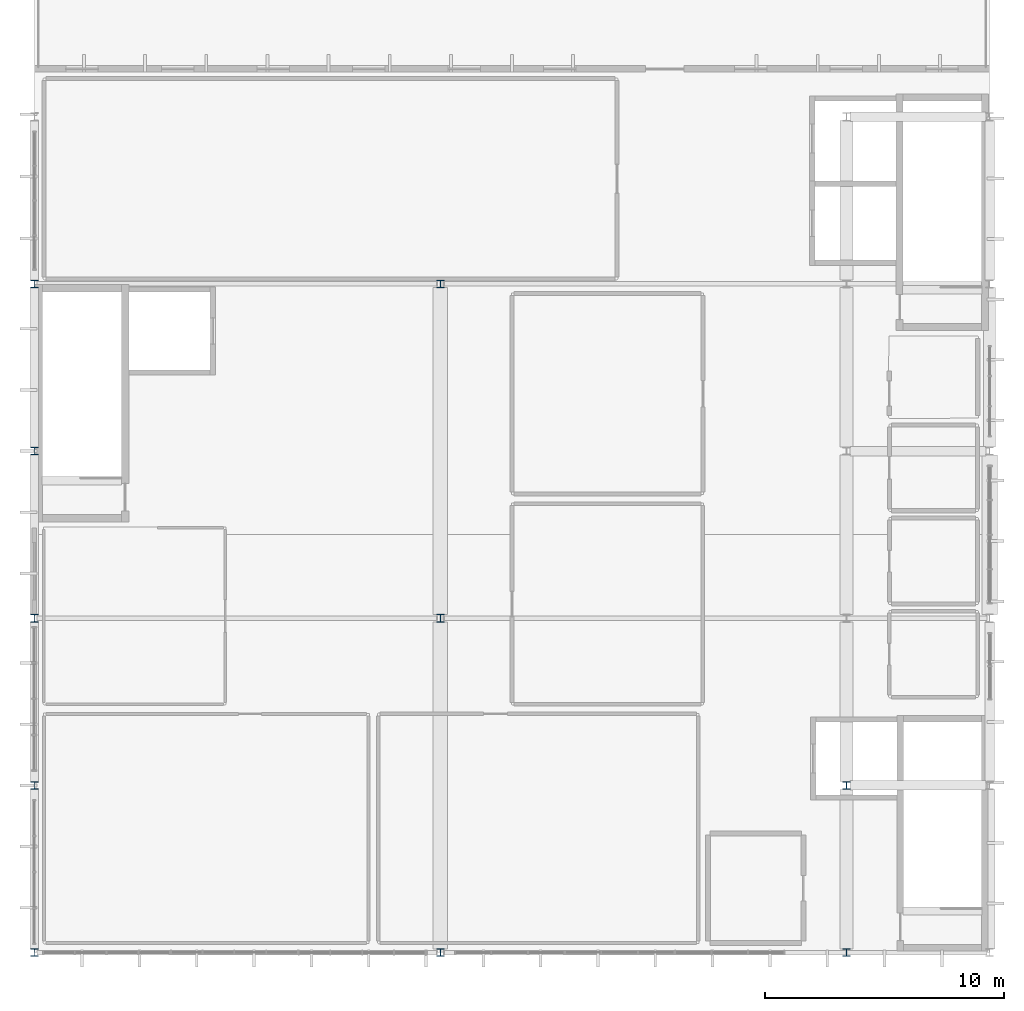
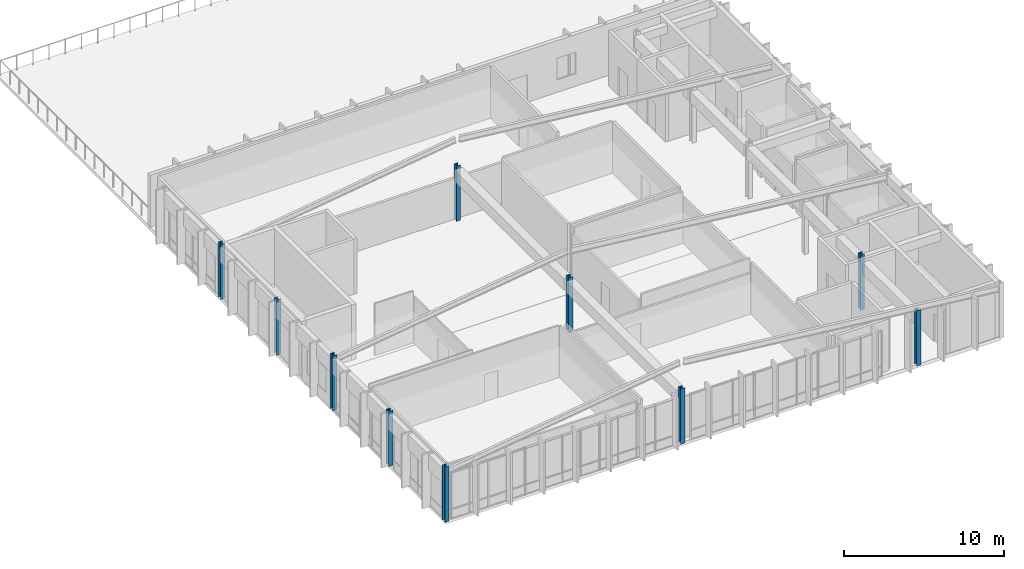
# One storey, part 1 of 16: 10 columns.
"""IFC4 building model written with IfcOpenShell, lengths in metres."""

from ifc_helpers import new_model, si_unit, direction, frame, origin, origin_2d, place, context, subcontext, project, spatial, i_section, extrude, material, material_profile, profile_set, type_object, element, save


model = new_model("IFC4")

# Units and contexts
model_context = context("Model", 3, precision=1e-05, world=origin(), true_north=direction((0.0, 1.0)))
body_context = subcontext(model_context, "Body", "Model", "MODEL_VIEW")
ifc_project = project(units=[si_unit("LENGTHUNIT", "METRE"), si_unit("AREAUNIT", "SQUARE_METRE"), si_unit("VOLUMEUNIT", "CUBIC_METRE"), si_unit("PLANEANGLEUNIT", "RADIAN"), si_unit("MASSUNIT", "GRAM", prefix="KILO")], contexts=[model_context])

# Site, building, storey
site_placement = place(None, origin())
site = spatial("IfcSite", under=ifc_project, at=site_placement, CompositionType="ELEMENT")
building_placement = place(site_placement, origin())
building = spatial("IfcBuilding", under=site, at=building_placement, Name="Larkveld Mobility Hub", CompositionType="ELEMENT")
storey_placement = place(building_placement, frame((0.0, 0.0, 22.800048828125)))
storey = spatial("IfcBuildingStorey", under=building, at=storey_placement, Name="L06", CompositionType="ELEMENT", Elevation=22.800048828125)

# Columns
ifc_material = material(Name="Steel S355JR", Category="steel")
ifc_material_profile = material_profile(ifc_material, i_section(OverallWidth=0.30908203125, OverallDepth=0.320556640625, WebThickness=0.013916015625, FlangeThickness=0.021728515625, FilletRadius=0.01513671875, at=origin_2d()), Name="UC 305x305x137")
ifc_profile_set = profile_set([ifc_material_profile], Name="Steel S355JR")
column_type = type_object("IfcColumnType", Name="CL-STUC305", PredefinedType="COLUMN", material=ifc_profile_set)
for number, where, z_axis, x_axis, name in (
    (1, (112.0, 28.0, 0.0), (0.0, 0.0, 1.0), (1.0, 0.0, 0.0), "Column EV-X112-Y28 (L06)"),
    (2, (112.0, 35.0, 0.0), (0.0, 0.0, 1.0), (1.0, 0.0, 0.0), "Column EV-X112-Y35 (L06)"),
    (3, (112.0, 42.0, 0.0), (0.0, 0.0, 1.0), (1.0, 0.0, 0.0), "Column EV-X112-Y42 (L06)"),
    (4, (112.0, 49.0, 0.0), (0.0, 0.0, 1.0), (1.0, 0.0, 0.0), "Column EV-X112-Y49 (L06)"),
    (5, (112.0, 56.0, 0.0), (0.0, 0.0, 1.0), (1.0, 0.0, 0.0), "Column EV-X112-Y56 (L06)"),
    (6, (129.0, 28.0, 0.0), (0.0, 0.0, 1.0), (1.0, 0.0, 0.0), "Column EV-X129-Y28 (L06)"),
    (7, (129.0, 42.0, 0.0), (0.0, 0.0, 1.0), (1.0, 0.0, 0.0), "Column EV-X129-Y42 (L06)"),
    (8, (129.0, 56.0, 0.0), (0.0, 0.0, 1.0), (1.0, 0.0, 0.0), "Column EV-X129-Y56 (L06)"),
    (9, (146.0, 28.0, 0.0), (0.0, 0.0, 1.0), (1.0, 0.0, 0.0), "Column EV-X146-Y28 (L06)"),
    (10, (146.0, 35.0, 0.0), (0.0, 0.0, 1.0), (1.0, 0.0, 0.0), "Column EV-X146-Y35 (L06)"),
):
    element("IfcColumn", number, at=place(storey_placement, frame(where, z_axis=z_axis, x_axis=x_axis)), inside=storey, type_object=column_type, Name=name, PredefinedType="COLUMN", context=body_context, shape_type="SweptSolid", body=[
        extrude(i_section(OverallWidth=0.30908203125, OverallDepth=0.320556640625, WebThickness=0.013916015625, FlangeThickness=0.021728515625, FilletRadius=0.01513671875, at=origin_2d()), origin(), (0.0, 0.0, 1.0), 4.199951171875),
    ])

save(model, "model.ifc")
